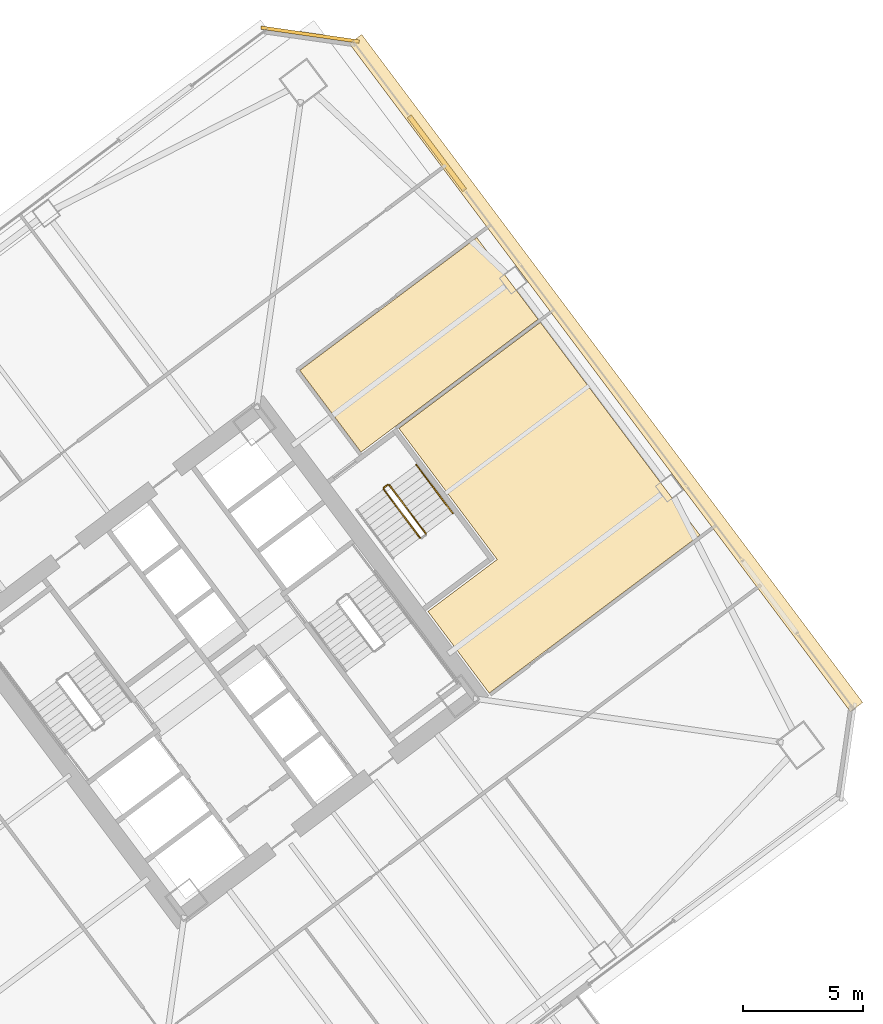
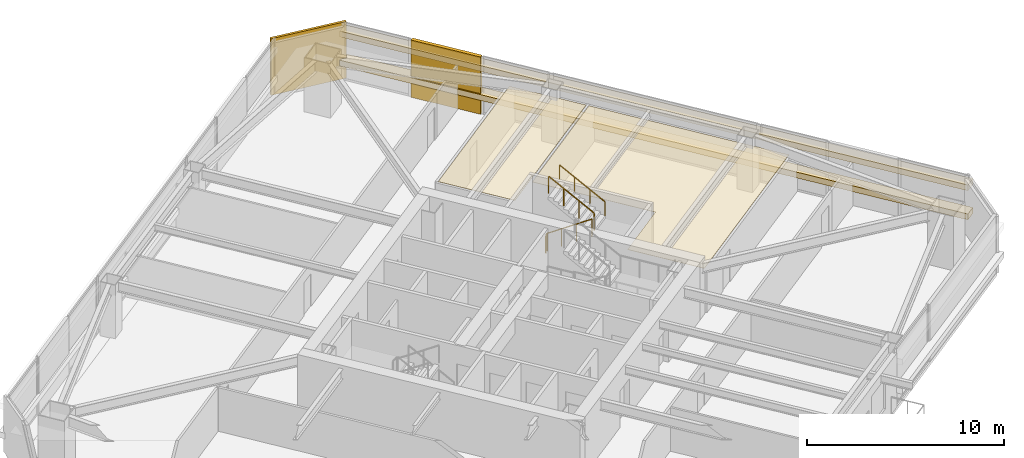
# One storey, part 48 of 48: 6 coverings, 4 railings.
"""IFC4 building model written with IfcOpenShell, lengths in metres."""

import ifcopenshell
import ifcopenshell.guid

model = None  # the IFC model being written
_history = None  # IfcOwnerHistory: only IFC2X3 demands one
_inside = {}  # id of a spatial element -> (the spatial element, [elements in it])
_under = {}  # id of a project, library or spatial element -> (it, [spatial elements below it])
_declared = {}  # id of a project -> (the project, [libraries it declares])
_typed = {}  # id of a type object -> (the type object, [elements of that type])
_made_of = {}  # id of a material, layer set ... -> (it, [elements and type objects made of it])


def new_model(schema):
    """Start an empty IFC model of exactly this schema.

    Asked for "IFC4X3", IfcOpenShell would pick the latest addendum, in which some entities
    have other attributes; the version numbers below select the first issue.
    IFC2X3 requires an IfcOwnerHistory on every rooted entity: one is made here for all.
    """
    global model, _history
    if schema == "IFC4X3":
        model = ifcopenshell.file(schema_version=(4, 3, 0, 0))
    else:
        model = ifcopenshell.file(schema=schema)
    _inside.clear()
    _under.clear()
    _declared.clear()
    _typed.clear()
    _made_of.clear()
    _history = None
    if model.schema == "IFC2X3":
        org = make("IfcOrganization", Name="unknown")
        user = make(
            "IfcPersonAndOrganization",
            ThePerson=make("IfcPerson", FamilyName="unknown"),
            TheOrganization=org,
        )
        app = make(
            "IfcApplication",
            ApplicationDeveloper=org,
            Version="unknown",
            ApplicationFullName="unknown",
            ApplicationIdentifier="unknown",
        )
        _history = make(
            "IfcOwnerHistory",
            OwningUser=user,
            OwningApplication=app,
            ChangeAction="ADDED",
            CreationDate=0,
        )
    return model


def make(cls, **values):
    """One entity of the class cls with the attributes given. An attribute that is None is left unset."""
    return model.create_entity(
        cls, **{name: value for name, value in values.items() if value is not None}
    )


def rooted(cls, **values):
    """An entity with a GlobalId (a new one), such as an element, a storey or a relation."""
    return make(cls, GlobalId=ifcopenshell.guid.new(), OwnerHistory=_history, **values)


def si_unit(unit_type, name, prefix=None):
    """IfcSIUnit, for example si_unit("LENGTHUNIT", "METRE", prefix="MILLI")."""
    return make("IfcSIUnit", UnitType=unit_type, Prefix=prefix, Name=name)


def assignment(units):
    """IfcUnitAssignment: the units of a project."""
    return None if units is None else make("IfcUnitAssignment", Units=units)


def point(xyz):
    """IfcCartesianPoint."""
    return None if xyz is None else make("IfcCartesianPoint", Coordinates=xyz)


def direction(xyz):
    """IfcDirection."""
    return None if xyz is None else make("IfcDirection", DirectionRatios=xyz)


def frame(location, z_axis=None, x_axis=None):
    """IfcAxis2Placement3D, a coordinate frame: its origin and axes. An axis left out is left unset."""
    return make(
        "IfcAxis2Placement3D",
        Location=point(location),
        Axis=direction(z_axis),
        RefDirection=direction(x_axis),
    )


def frame_2d(location, x_axis=None):
    """IfcAxis2Placement2D, a coordinate frame in the plane: its origin and x axis."""
    return make(
        "IfcAxis2Placement2D", Location=point(location), RefDirection=direction(x_axis)
    )


def origin():
    """The frame at (0, 0, 0) with its axes left unset."""
    return frame((0.0, 0.0, 0.0))


def origin_2d():
    """The frame at (0, 0) in the plane with its x axis left unset."""
    return frame_2d((0.0, 0.0))


def place(relative_to, where):
    """IfcLocalPlacement: puts the frame where relative to a parent placement (None: the world)."""
    return make(
        "IfcLocalPlacement", PlacementRelTo=relative_to, RelativePlacement=where
    )


def context(
    kind, dimensions, precision=None, world=None, true_north=None, identifier=None
):
    """IfcGeometricRepresentationContext, for example the 3D "Model" context."""
    return make(
        "IfcGeometricRepresentationContext",
        ContextIdentifier=identifier,
        ContextType=kind,
        CoordinateSpaceDimension=dimensions,
        Precision=precision,
        WorldCoordinateSystem=world,
        TrueNorth=true_north,
    )


def subcontext(parent, identifier, kind, view, scale=None):
    """IfcGeometricRepresentationSubContext, for example "Body" below "Model"."""
    return make(
        "IfcGeometricRepresentationSubContext",
        ContextIdentifier=identifier,
        ContextType=kind,
        ParentContext=parent,
        TargetScale=scale,
        TargetView=view,
    )


def project(units=None, contexts=None):
    """IfcProject with its units and contexts."""
    return rooted(
        "IfcProject",
        Name="project",
        RepresentationContexts=contexts,
        UnitsInContext=assignment(units),
    )


def spatial(cls, under=None, at=None, **own):
    """A site, building, storey or space (cls), placed at a placement, below another one or the project."""
    s = rooted(cls, ObjectPlacement=at, **own)
    if under is not None:
        _under.setdefault(under.id(), (under, []))[1].append(s)
    return s


def polyline(points):
    """IfcPolyline through the points."""
    return make("IfcPolyline", Points=[point(p) for p in points])


def profile(cls, at=None, kind="AREA", **sizes):
    """A parametric profile (cls). Its sizes go by their IFC names, for example OverallWidth=200.0."""
    return make(cls, ProfileType=kind, Position=at, **sizes)


def rectangle(**sizes):
    """IfcRectangleProfileDef."""
    return profile("IfcRectangleProfileDef", **sizes)


def outline(outer, holes=None, kind="AREA"):
    """IfcArbitraryClosedProfileDef: a profile drawn as a closed curve; with holes, ...WithVoids."""
    if holes is None:
        return make("IfcArbitraryClosedProfileDef", ProfileType=kind, OuterCurve=outer)
    return make(
        "IfcArbitraryProfileDefWithVoids",
        ProfileType=kind,
        OuterCurve=outer,
        InnerCurves=holes,
    )


def extrude(swept, where, along, depth):
    """IfcExtrudedAreaSolid: the profile swept, set in the frame where, extruded along a direction by depth."""
    return make(
        "IfcExtrudedAreaSolid",
        SweptArea=swept,
        Position=where,
        ExtrudedDirection=direction(along),
        Depth=depth,
    )


def shape(context_of_items, identifier, shape_type, items):
    """IfcShapeRepresentation: the items that make up one representation, for example the "Body"."""
    return make(
        "IfcShapeRepresentation",
        ContextOfItems=context_of_items,
        RepresentationIdentifier=identifier,
        RepresentationType=shape_type,
        Items=items,
    )


def material(Name=None, Category=None):
    """IfcMaterial."""
    return make("IfcMaterial", Name=Name, Category=Category)


def layer(
    of_material, thickness, ventilated=None, Name=None, Category=None, Priority=None
):
    """IfcMaterialLayer: one layer of a wall or slab, of a material (None: an air gap)."""
    return make(
        "IfcMaterialLayer",
        Material=of_material,
        LayerThickness=thickness,
        IsVentilated=ventilated,
        Name=Name,
        Category=Category,
        Priority=Priority,
    )


def layer_set(layers, Name=None):
    """IfcMaterialLayerSet."""
    return make("IfcMaterialLayerSet", MaterialLayers=layers, LayerSetName=Name)


def made_of(thing, what):
    """Note that an element or type object is made of a material, layer set ...; save() writes the relation."""
    if what is not None:
        _made_of.setdefault(what.id(), (what, []))[1].append(thing)
    return thing


def type_object(cls, material=None, **own):
    """A type object (cls), such as IfcWallType, which elements share."""
    return made_of(rooted(cls, **own), material)


def element(
    cls,
    number,
    at=None,
    inside=None,
    cuts=None,
    type_object=None,
    material=None,
    context=None,
    identifier="Body",
    shape_type=None,
    held_by="IfcProductDefinitionShape",
    body=None,
    shapes=None,
    **own,
):
    """One element of the class cls, such as IfcWall. Its Tag is "e" and its number.

    at: its placement. inside: the storey or other place that contains it. cuts: it is an
    opening in that element (IfcRelVoidsElement). A single representation is given by context,
    identifier, shape_type and body (its items); several are given by shapes. held_by: the class
    of the entity that holds the representations. save() writes the other relations.
    """
    e = rooted(cls, Tag="e%d" % number, ObjectPlacement=at, **own)
    if body is not None:
        shapes = [shape(context, identifier, shape_type, body)]
    if shapes is not None:
        e.Representation = make(held_by, Representations=shapes)
    if inside is not None:
        _inside.setdefault(inside.id(), (inside, []))[1].append(e)
    if cuts is not None:
        rooted(
            "IfcRelVoidsElement", RelatingBuildingElement=cuts, RelatedOpeningElement=e
        )
    if type_object is not None:
        _typed.setdefault(type_object.id(), (type_object, []))[1].append(e)
    return made_of(e, material)


def aggregate(whole, parts):
    """IfcRelAggregates: a whole, such as a stair, and the parts it consists of."""
    return rooted("IfcRelAggregates", RelatingObject=whole, RelatedObjects=parts)


def save(model, path):
    """Write the relations noted so far, then the file.

    IfcRelAggregates (storeys below a building ...), IfcRelContainedInSpatialStructure (elements
    in a storey), IfcRelDefinesByType, IfcRelAssociatesMaterial and IfcRelDeclares: one each for
    every whole, place, type object, material and project.
    """
    for whole, parts in _under.values():
        aggregate(whole, parts)
    for where, things in _inside.values():
        rooted(
            "IfcRelContainedInSpatialStructure",
            RelatedElements=things,
            RelatingStructure=where,
        )
    for kind, things in _typed.values():
        rooted("IfcRelDefinesByType", RelatedObjects=things, RelatingType=kind)
    for what, things in _made_of.values():
        rooted("IfcRelAssociatesMaterial", RelatedObjects=things, RelatingMaterial=what)
    for by, libraries in _declared.values():
        rooted("IfcRelDeclares", RelatingContext=by, RelatedDefinitions=libraries)
    model.write(path)


model = new_model("IFC4")

# Units and contexts
model_context = context("Model", 3, precision=1e-05, world=origin(), true_north=direction((0.0, 1.0)))
body_context = subcontext(model_context, "Body", "Model", "MODEL_VIEW")
ifc_project = project(units=[si_unit("LENGTHUNIT", "METRE"), si_unit("AREAUNIT", "SQUARE_METRE"), si_unit("VOLUMEUNIT", "CUBIC_METRE"), si_unit("PLANEANGLEUNIT", "RADIAN"), si_unit("MASSUNIT", "GRAM", prefix="KILO")], contexts=[model_context])

# Site, building, storey
site_placement = place(None, origin())
site = spatial("IfcSite", under=ifc_project, at=site_placement, CompositionType="ELEMENT")
building_placement = place(site_placement, origin())
building = spatial("IfcBuilding", under=site, at=building_placement, Name="Tashvorn Skyway Center", CompositionType="ELEMENT")
storey_placement = place(building_placement, frame((0.0, 0.0, 77.85009765625)))
storey = spatial("IfcBuildingStorey", under=building, at=storey_placement, Name="L20", CompositionType="ELEMENT", Elevation=77.85009765625)

# Coverings
ifc_material_1 = material(Name="Precast concrete C40/50", Category="concrete")
ifc_layer_1 = layer(ifc_material_1, 0.199951171875)
ifc_layer_set_1 = layer_set([ifc_layer_1], Name="Precast concrete C40/50")
covering_type_1 = type_object("IfcCoveringType", Name="COV-BRACE-CLAD", PredefinedType="CLADDING", material=ifc_layer_set_1)
covering_1_placement = place(storey_placement, frame((122.991943359375, 53.14404296875, 0.0), z_axis=(0.0, 0.0, 1.0), x_axis=(0.600000004945, -0.799999996291, 0.0)))
element("IfcCovering", 1, at=covering_1_placement, inside=storey, type_object=covering_type_1, Name="Tower 2 L20 East Unitised Curtain Wall Mega-Brace Cladding Band 1", PredefinedType="CLADDING", context=body_context, shape_type="SweptSolid", body=[
    extrude(rectangle(XDim=3.840087890625, YDim=0.199951171875, at=origin_2d()), origin(), (0.0, 0.0, 1.0), 3.550048828125),
])
ifc_material_2 = material(Name="Mineral-fibre acoustic ceiling tile on suspended grid")
ifc_layer_2 = layer(ifc_material_2, 0.02001953125)
ifc_layer_set_2 = layer_set([ifc_layer_2], Name="Mineral-fibre acoustic ceiling tile on suspended grid")
covering_type_2 = type_object("IfcCoveringType", Name="COV-CEIL-20", PredefinedType="CEILING", material=ifc_layer_set_2)
covering_2_placement = place(storey_placement, frame((0.0, 0.0, 2.682861328125)))
element("IfcCovering", 2, at=covering_2_placement, inside=storey, type_object=covering_type_2, Name="Tower 2 L20 Gallery Showroom Acoustic Ceiling", PredefinedType="CEILING", context=body_context, shape_type="SweptSolid", body=[
    extrude(outline(polyline([(119.840087890625, 40.72998046875), (117.2958984375, 44.1220703125), (124.64794921875, 49.635986328125), (127.19189453125, 46.243896484375), (119.840087890625, 40.72998046875)])), origin(), (0.0, 0.0, 1.0), 0.02001953125),
])
covering_3_placement = place(storey_placement, frame((0.0, 0.0, 2.682861328125)))
element("IfcCovering", 3, at=covering_3_placement, inside=storey, type_object=covering_type_2, Name="Tower 2 L20 Public Restroom Acoustic Ceiling", PredefinedType="CEILING", context=body_context, shape_type="SweptSolid", body=[
    extrude(outline(polyline([(125.159912109375, 30.719970703125), (122.615966796875, 34.112060546875), (125.49609375, 36.27197265625), (121.416015625, 41.7119140625), (127.2880859375, 46.115966796875), (131.367919921875, 40.676025390625), (133.912109375, 37.283935546875), (125.159912109375, 30.719970703125)])), origin(), (0.0, 0.0, 1.0), 0.02001953125),
])
ifc_material_3 = material(Name="Perforated ceramic-coated bronze aluminium solar screen", Category="aluminium")
ifc_layer_3 = layer(ifc_material_3, 0.85009765625)
ifc_layer_set_3 = layer_set([ifc_layer_3], Name="Perforated ceramic-coated bronze aluminium solar screen")
covering_type_3 = type_object("IfcCoveringType", Name="COV-SOLAR-BAND", PredefinedType="CLADDING", material=ifc_layer_set_3)
for number, where, z_axis, x_axis, name in (
    (4, (130.01611328125, 44.011962890625, 0.919921875), (0.0, 0.0, 1.0), (0.600000004945, -0.799999996291, 0.0), "L20 Perforated Ceramic-Metal Solar Screen Louvre Band East 1"),
    (5, (130.01611328125, 44.011962890625, 2.7197265625), (0.0, 0.0, 1.0), (0.600000004945, -0.799999996291, 0.0), "L20 Perforated Ceramic-Metal Solar Screen Louvre Band East 2"),
):
    element("IfcCovering", number, at=place(storey_placement, frame(where, z_axis=z_axis, x_axis=x_axis)), inside=storey, type_object=covering_type_3, Name=name, PredefinedType="CLADDING", context=body_context, shape_type="SweptSolid", body=[
        extrude(rectangle(XDim=34.679931640625, YDim=0.639892578125, at=origin_2d()), origin(), (0.0, 0.0, 1.0), 0.360107421875),
    ])
ifc_layer_4 = layer(ifc_material_1, 0.35009765625)
ifc_layer_set_4 = layer_set([ifc_layer_4], Name="Precast concrete C40/50")
covering_type_4 = type_object("IfcCoveringType", Name="COV-STONE-TRIM", PredefinedType="CLADDING", material=ifc_layer_set_4)
covering_4_placement = place(storey_placement, frame((117.72412109375, 58.068115234375, 0.02001953125), z_axis=(0.0, 0.0, 1.0), x_axis=(0.989949494535, -0.141421350118, 0.0)))
element("IfcCovering", 6, at=covering_4_placement, inside=storey, type_object=covering_type_4, Name="Tower 2 L20 NE Mojave Limestone Corner Quoin", PredefinedType="CLADDING", context=body_context, shape_type="SweptSolid", body=[
    extrude(rectangle(XDim=4.119873046875, YDim=0.139892578125, at=origin_2d()), origin(), (0.0, 0.0, 1.0), 3.510009765625),
])

# Railings
ifc_material_4 = material(Name="Brushed stainless steel 316", Category="steel")
railing_type_1 = type_object("IfcRailingType", Name="RAIL-HAND-920", PredefinedType="HANDRAIL", material=ifc_material_4)
railing_1_placement = place(storey_placement, frame((123.64794921875, 38.18603515625, 1.952392578125)))
element("IfcRailing", 7, at=railing_1_placement, inside=storey, type_object=railing_type_1, Name="L20 ST-T2-3 stair handrail 2", PredefinedType="HANDRAIL", context=body_context, shape_type="SweptSolid", body=[
    extrude(rectangle(XDim=0.048095703125, YDim=0.048095703125, at=origin_2d()), frame((0.0, 0.0, 0.8759765625), z_axis=(-0.506768818287, 0.675664481285, 0.535409071218), x_axis=(-0.79998837352, -0.60001550166, 0.0)), (0.0, 0.0, 1.0), 2.983642578125),
    extrude(rectangle(XDim=0.0419921875, YDim=0.0419921875, at=origin_2d()), origin(), (0.0, 0.0, 1.0), 0.851806640625),
    extrude(rectangle(XDim=0.0419921875, YDim=0.0419921875, at=origin_2d()), frame((-0.50390625, 0.671875, 0.532470703125)), (0.0, 0.0, 1.0), 0.851806640625),
    extrude(rectangle(XDim=0.0419921875, YDim=0.0419921875, at=origin_2d()), frame((-1.008056640625, 1.343994140625, 1.06494140625)), (0.0, 0.0, 1.0), 0.851806640625),
    extrude(rectangle(XDim=0.0419921875, YDim=0.0419921875, at=origin_2d()), frame((-1.511962890625, 2.015869140625, 1.597412109375)), (0.0, 0.0, 1.0), 0.851806640625),
])
ifc_material_5 = material(Name="Painted galvanized steel S355", Category="steel")
railing_type_2 = type_object("IfcRailingType", Name="RAIL-STGUARD-1100", PredefinedType="GUARDRAIL", material=ifc_material_5)
railing_2_placement = place(storey_placement, frame((120.77587890625, 39.181884765625, 0.177490234375)))
element("IfcRailing", 8, at=railing_2_placement, inside=storey, type_object=railing_type_2, Name="L20 ST-T2-3 stair guard 1", PredefinedType="GUARDRAIL", context=body_context, shape_type="SweptSolid", body=[
    extrude(rectangle(XDim=0.048095703125, YDim=0.048095703125, at=origin_2d()), frame((0.0, 0.0, 1.076171875), z_axis=(0.506829628838, -0.67563646195, 0.535386868177), x_axis=(0.799941867976, 0.600077501544, 0.0)), (0.0, 0.0, 1.0), 2.983642578125),
    extrude(rectangle(XDim=0.0419921875, YDim=0.0419921875, at=origin_2d()), origin(), (0.0, 0.0, 1.0), 1.052001953125),
    extrude(rectangle(XDim=0.0419921875, YDim=0.0419921875, at=origin_2d()), frame((0.504150390625, -0.671875, 0.532470703125)), (0.0, 0.0, 1.0), 1.052001953125),
    extrude(rectangle(XDim=0.0419921875, YDim=0.0419921875, at=origin_2d()), frame((1.008056640625, -1.343994140625, 1.06494140625)), (0.0, 0.0, 1.0), 1.052001953125),
    extrude(rectangle(XDim=0.0419921875, YDim=0.0419921875, at=origin_2d()), frame((1.51220703125, -2.015869140625, 1.597412109375)), (0.0, 0.0, 1.0), 1.052001953125),
])
railing_3_placement = place(storey_placement, frame((122.528076171875, 37.345947265625, 1.952392578125)))
element("IfcRailing", 9, at=railing_3_placement, inside=storey, type_object=railing_type_2, Name="L20 ST-T2-3 stair guard 3", PredefinedType="GUARDRAIL", context=body_context, shape_type="SweptSolid", body=[
    extrude(rectangle(XDim=0.048095703125, YDim=0.048095703125, at=origin_2d()), frame((0.0, 0.0, 1.076171875), z_axis=(-0.506740800098, 0.675708949977, 0.535379469569), x_axis=(-0.800023250257, -0.599968998406, 0.0)), (0.0, 0.0, 1.0), 2.983642578125),
    extrude(rectangle(XDim=0.0419921875, YDim=0.0419921875, at=origin_2d()), origin(), (0.0, 0.0, 1.0), 1.052001953125),
    extrude(rectangle(XDim=0.0419921875, YDim=0.0419921875, at=origin_2d()), frame((-0.50390625, 0.672119140625, 0.532470703125)), (0.0, 0.0, 1.0), 1.052001953125),
    extrude(rectangle(XDim=0.0419921875, YDim=0.0419921875, at=origin_2d()), frame((-1.008056640625, 1.343994140625, 1.06494140625)), (0.0, 0.0, 1.0), 1.052001953125),
    extrude(rectangle(XDim=0.0419921875, YDim=0.0419921875, at=origin_2d()), frame((-1.511962890625, 2.01611328125, 1.597412109375)), (0.0, 0.0, 1.0), 1.052001953125),
])
railing_4_placement = place(storey_placement, frame((120.785888671875, 39.251953125, 0.0)))
element("IfcRailing", 10, at=railing_4_placement, inside=storey, type_object=railing_type_2, Name="L20 ST-T2-3 stair guard 4", PredefinedType="GUARDRAIL", context=body_context, shape_type="SweptSolid", body=[
    extrude(rectangle(XDim=0.048095703125, YDim=0.048095703125, at=origin_2d()), frame((0.0, 0.0, 1.076171875), z_axis=(0.8, 0.6, 0.0), x_axis=(-0.6, 0.8, 0.0)), (0.0, 0.0, 1.0), 0.2001953125),
    extrude(rectangle(XDim=0.0419921875, YDim=0.0419921875, at=origin_2d()), origin(), (0.0, 0.0, 1.0), 1.052001953125),
    extrude(rectangle(XDim=0.0419921875, YDim=0.0419921875, at=origin_2d()), frame((0.16015625, 0.1201171875, 0.0)), (0.0, 0.0, 1.0), 1.052001953125),
])

save(model, "model.ifc")
